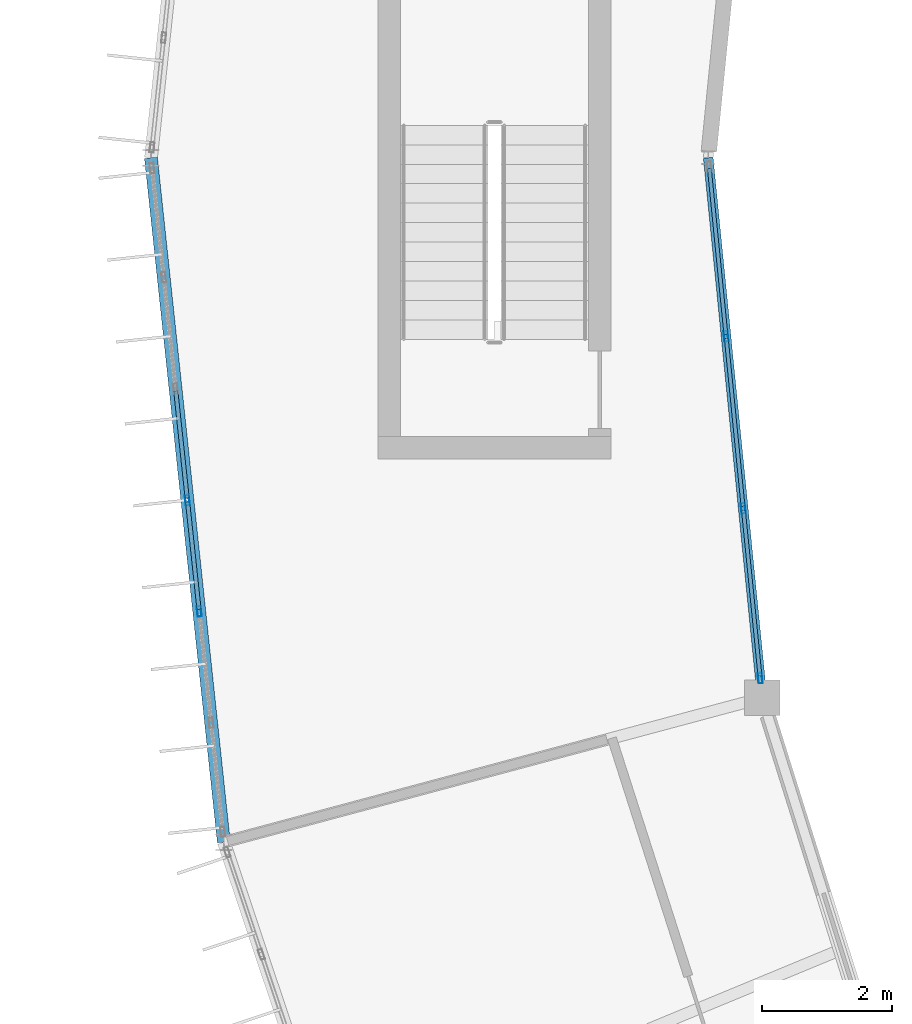
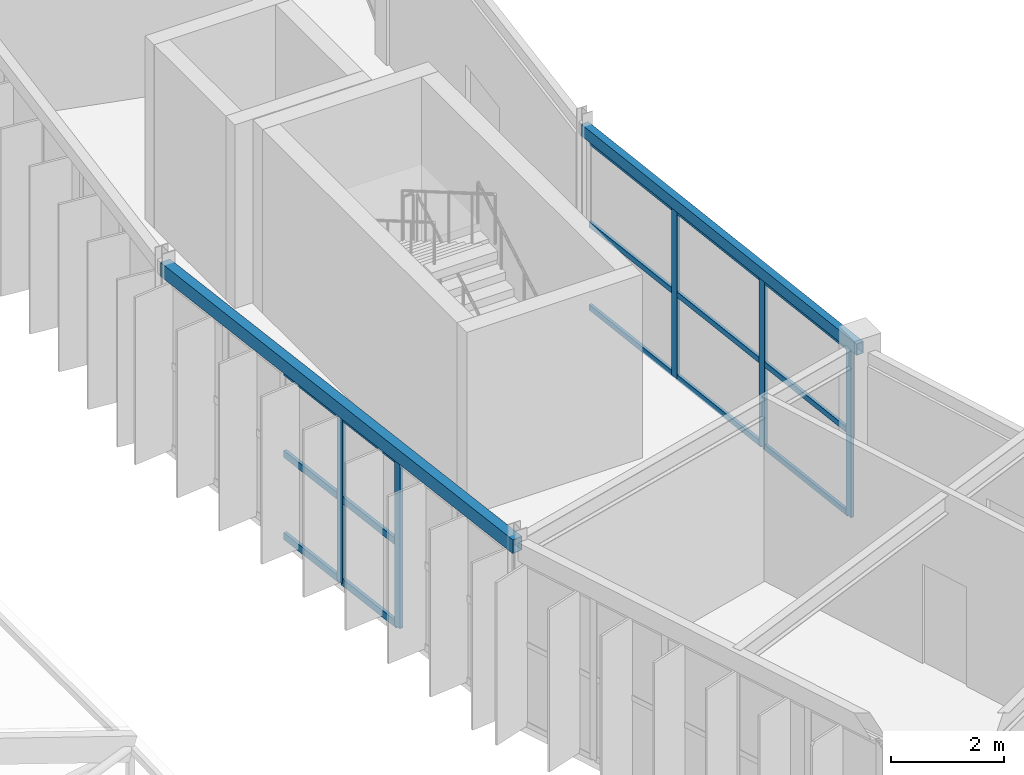
# One storey, part 41 of 134: 20 members, 2 beams, 2 elements without a shape of their own.
"""IFC4 building model written with IfcOpenShell, lengths in metres."""

import ifcopenshell
import ifcopenshell.guid

model = None  # the IFC model being written
_history = None  # IfcOwnerHistory: only IFC2X3 demands one
_inside = {}  # id of a spatial element -> (the spatial element, [elements in it])
_under = {}  # id of a project, library or spatial element -> (it, [spatial elements below it])
_declared = {}  # id of a project -> (the project, [libraries it declares])
_typed = {}  # id of a type object -> (the type object, [elements of that type])
_made_of = {}  # id of a material, layer set ... -> (it, [elements and type objects made of it])


def new_model(schema):
    """Start an empty IFC model of exactly this schema.

    Asked for "IFC4X3", IfcOpenShell would pick the latest addendum, in which some entities
    have other attributes; the version numbers below select the first issue.
    IFC2X3 requires an IfcOwnerHistory on every rooted entity: one is made here for all.
    """
    global model, _history
    if schema == "IFC4X3":
        model = ifcopenshell.file(schema_version=(4, 3, 0, 0))
    else:
        model = ifcopenshell.file(schema=schema)
    _inside.clear()
    _under.clear()
    _declared.clear()
    _typed.clear()
    _made_of.clear()
    _history = None
    if model.schema == "IFC2X3":
        org = make("IfcOrganization", Name="unknown")
        user = make(
            "IfcPersonAndOrganization",
            ThePerson=make("IfcPerson", FamilyName="unknown"),
            TheOrganization=org,
        )
        app = make(
            "IfcApplication",
            ApplicationDeveloper=org,
            Version="unknown",
            ApplicationFullName="unknown",
            ApplicationIdentifier="unknown",
        )
        _history = make(
            "IfcOwnerHistory",
            OwningUser=user,
            OwningApplication=app,
            ChangeAction="ADDED",
            CreationDate=0,
        )
    return model


def make(cls, **values):
    """One entity of the class cls with the attributes given. An attribute that is None is left unset."""
    return model.create_entity(
        cls, **{name: value for name, value in values.items() if value is not None}
    )


def rooted(cls, **values):
    """An entity with a GlobalId (a new one), such as an element, a storey or a relation."""
    return make(cls, GlobalId=ifcopenshell.guid.new(), OwnerHistory=_history, **values)


def si_unit(unit_type, name, prefix=None):
    """IfcSIUnit, for example si_unit("LENGTHUNIT", "METRE", prefix="MILLI")."""
    return make("IfcSIUnit", UnitType=unit_type, Prefix=prefix, Name=name)


def assignment(units):
    """IfcUnitAssignment: the units of a project."""
    return None if units is None else make("IfcUnitAssignment", Units=units)


def point(xyz):
    """IfcCartesianPoint."""
    return None if xyz is None else make("IfcCartesianPoint", Coordinates=xyz)


def direction(xyz):
    """IfcDirection."""
    return None if xyz is None else make("IfcDirection", DirectionRatios=xyz)


def frame(location, z_axis=None, x_axis=None):
    """IfcAxis2Placement3D, a coordinate frame: its origin and axes. An axis left out is left unset."""
    return make(
        "IfcAxis2Placement3D",
        Location=point(location),
        Axis=direction(z_axis),
        RefDirection=direction(x_axis),
    )


def frame_2d(location, x_axis=None):
    """IfcAxis2Placement2D, a coordinate frame in the plane: its origin and x axis."""
    return make(
        "IfcAxis2Placement2D", Location=point(location), RefDirection=direction(x_axis)
    )


def origin():
    """The frame at (0, 0, 0) with its axes left unset."""
    return frame((0.0, 0.0, 0.0))


def origin_2d():
    """The frame at (0, 0) in the plane with its x axis left unset."""
    return frame_2d((0.0, 0.0))


def place(relative_to, where):
    """IfcLocalPlacement: puts the frame where relative to a parent placement (None: the world)."""
    return make(
        "IfcLocalPlacement", PlacementRelTo=relative_to, RelativePlacement=where
    )


def context(
    kind, dimensions, precision=None, world=None, true_north=None, identifier=None
):
    """IfcGeometricRepresentationContext, for example the 3D "Model" context."""
    return make(
        "IfcGeometricRepresentationContext",
        ContextIdentifier=identifier,
        ContextType=kind,
        CoordinateSpaceDimension=dimensions,
        Precision=precision,
        WorldCoordinateSystem=world,
        TrueNorth=true_north,
    )


def subcontext(parent, identifier, kind, view, scale=None):
    """IfcGeometricRepresentationSubContext, for example "Body" below "Model"."""
    return make(
        "IfcGeometricRepresentationSubContext",
        ContextIdentifier=identifier,
        ContextType=kind,
        ParentContext=parent,
        TargetScale=scale,
        TargetView=view,
    )


def project(units=None, contexts=None):
    """IfcProject with its units and contexts."""
    return rooted(
        "IfcProject",
        Name="project",
        RepresentationContexts=contexts,
        UnitsInContext=assignment(units),
    )


def spatial(cls, under=None, at=None, **own):
    """A site, building, storey or space (cls), placed at a placement, below another one or the project."""
    s = rooted(cls, ObjectPlacement=at, **own)
    if under is not None:
        _under.setdefault(under.id(), (under, []))[1].append(s)
    return s


def profile(cls, at=None, kind="AREA", **sizes):
    """A parametric profile (cls). Its sizes go by their IFC names, for example OverallWidth=200.0."""
    return make(cls, ProfileType=kind, Position=at, **sizes)


def hollow_rectangle(**sizes):
    """IfcRectangleHollowProfileDef."""
    return profile("IfcRectangleHollowProfileDef", **sizes)


def extrude(swept, where, along, depth):
    """IfcExtrudedAreaSolid: the profile swept, set in the frame where, extruded along a direction by depth."""
    return make(
        "IfcExtrudedAreaSolid",
        SweptArea=swept,
        Position=where,
        ExtrudedDirection=direction(along),
        Depth=depth,
    )


def shape(context_of_items, identifier, shape_type, items):
    """IfcShapeRepresentation: the items that make up one representation, for example the "Body"."""
    return make(
        "IfcShapeRepresentation",
        ContextOfItems=context_of_items,
        RepresentationIdentifier=identifier,
        RepresentationType=shape_type,
        Items=items,
    )


def material(Name=None, Category=None):
    """IfcMaterial."""
    return make("IfcMaterial", Name=Name, Category=Category)


def material_profile(
    of_material, cross_section, Name=None, Category=None, Priority=None
):
    """IfcMaterialProfile: a cross section and its material."""
    return make(
        "IfcMaterialProfile",
        Name=Name,
        Material=of_material,
        Profile=cross_section,
        Priority=Priority,
        Category=Category,
    )


def profile_set(profiles, Name=None, composite=None):
    """IfcMaterialProfileSet."""
    return make(
        "IfcMaterialProfileSet",
        Name=Name,
        MaterialProfiles=profiles,
        CompositeProfile=composite,
    )


def made_of(thing, what):
    """Note that an element or type object is made of a material, layer set ...; save() writes the relation."""
    if what is not None:
        _made_of.setdefault(what.id(), (what, []))[1].append(thing)
    return thing


def type_object(cls, material=None, **own):
    """A type object (cls), such as IfcWallType, which elements share."""
    return made_of(rooted(cls, **own), material)


def element(
    cls,
    number,
    at=None,
    inside=None,
    cuts=None,
    type_object=None,
    material=None,
    context=None,
    identifier="Body",
    shape_type=None,
    held_by="IfcProductDefinitionShape",
    body=None,
    shapes=None,
    **own,
):
    """One element of the class cls, such as IfcWall. Its Tag is "e" and its number.

    at: its placement. inside: the storey or other place that contains it. cuts: it is an
    opening in that element (IfcRelVoidsElement). A single representation is given by context,
    identifier, shape_type and body (its items); several are given by shapes. held_by: the class
    of the entity that holds the representations. save() writes the other relations.
    """
    e = rooted(cls, Tag="e%d" % number, ObjectPlacement=at, **own)
    if body is not None:
        shapes = [shape(context, identifier, shape_type, body)]
    if shapes is not None:
        e.Representation = make(held_by, Representations=shapes)
    if inside is not None:
        _inside.setdefault(inside.id(), (inside, []))[1].append(e)
    if cuts is not None:
        rooted(
            "IfcRelVoidsElement", RelatingBuildingElement=cuts, RelatedOpeningElement=e
        )
    if type_object is not None:
        _typed.setdefault(type_object.id(), (type_object, []))[1].append(e)
    return made_of(e, material)


def aggregate(whole, parts):
    """IfcRelAggregates: a whole, such as a stair, and the parts it consists of."""
    return rooted("IfcRelAggregates", RelatingObject=whole, RelatedObjects=parts)


def save(model, path):
    """Write the relations noted so far, then the file.

    IfcRelAggregates (storeys below a building ...), IfcRelContainedInSpatialStructure (elements
    in a storey), IfcRelDefinesByType, IfcRelAssociatesMaterial and IfcRelDeclares: one each for
    every whole, place, type object, material and project.
    """
    for whole, parts in _under.values():
        aggregate(whole, parts)
    for where, things in _inside.values():
        rooted(
            "IfcRelContainedInSpatialStructure",
            RelatedElements=things,
            RelatingStructure=where,
        )
    for kind, things in _typed.values():
        rooted("IfcRelDefinesByType", RelatedObjects=things, RelatingType=kind)
    for what, things in _made_of.values():
        rooted("IfcRelAssociatesMaterial", RelatedObjects=things, RelatingMaterial=what)
    for by, libraries in _declared.values():
        rooted("IfcRelDeclares", RelatingContext=by, RelatedDefinitions=libraries)
    model.write(path)


model = new_model("IFC4")

# Units and contexts
model_context = context("Model", 3, precision=1e-05, world=origin(), true_north=direction((0.0, 1.0)))
body_context = subcontext(model_context, "Body", "Model", "MODEL_VIEW")
ifc_project = project(units=[si_unit("LENGTHUNIT", "METRE"), si_unit("AREAUNIT", "SQUARE_METRE"), si_unit("VOLUMEUNIT", "CUBIC_METRE"), si_unit("PLANEANGLEUNIT", "RADIAN"), si_unit("MASSUNIT", "GRAM", prefix="KILO")], contexts=[model_context])

# Site, building, storey
site_placement = place(None, origin())
site = spatial("IfcSite", under=ifc_project, at=site_placement, CompositionType="ELEMENT")
building_placement = place(site_placement, origin())
building = spatial("IfcBuilding", under=site, at=building_placement, Name="Karori Crest Natural Sciences Institute", CompositionType="ELEMENT")
storey_placement = place(building_placement, frame((0.0, 0.0, 21.699951171875)))
storey = spatial("IfcBuildingStorey", under=building, at=storey_placement, Name="L05", CompositionType="ELEMENT", Elevation=21.699951171875)

# Beams
ifc_material_1 = material(Name="Hollow structural steel AS/NZS 1163 Grade C350", Category="steel")
ifc_material_profile_1 = material_profile(ifc_material_1, hollow_rectangle(XDim=0.199951171875, YDim=0.300048828125, WallThickness=0.010009765625, at=origin_2d()), Name="RHS300x200x10")
ifc_profile_set_1 = profile_set([ifc_material_profile_1], Name="Hollow structural steel AS/NZS 1163 Grade C350")
beam_type_1 = type_object("IfcBeamType", Name="BT-15", PredefinedType="SPANDREL", material=ifc_profile_set_1)
beam_1_placement = place(storey_placement, frame((33.39990234375, 49.89990234375, 3.7900390625), z_axis=(0.105891010563, -0.994377742049, 0.0), x_axis=(0.994377742049, 0.105891010563, 0.0)))
element("IfcBeam", 1, at=beam_1_placement, inside=storey, type_object=beam_type_1, Name="Beam B-0586", PredefinedType="SPANDREL", context=body_context, shape_type="SweptSolid", body=[
    extrude(hollow_rectangle(XDim=0.199951171875, YDim=0.300048828125, WallThickness=0.010009765625, at=origin_2d()), origin(), (0.0, 0.0, 1.0), 10.61962890625),
])
ifc_material_profile_2 = material_profile(ifc_material_1, hollow_rectangle(XDim=0.14990234375, YDim=0.25, WallThickness=0.009033203125, at=origin_2d()), Name="RHS250x150x9")
ifc_profile_set_2 = profile_set([ifc_material_profile_2], Name="Hollow structural steel AS/NZS 1163 Grade C350")
beam_type_2 = type_object("IfcBeamType", Name="BT-16", PredefinedType="SPANDREL", material=ifc_profile_set_2)
beam_2_placement = place(storey_placement, frame((42.0, 49.89990234375, 3.7900390625), z_axis=(0.099255508608, -0.995061979985, 0.0), x_axis=(0.995061979985, 0.099255508608, 0.0)))
element("IfcBeam", 2, at=beam_2_placement, inside=storey, type_object=beam_type_2, Name="Beam B-0587", PredefinedType="SPANDREL", context=body_context, shape_type="SweptSolid", body=[
    extrude(hollow_rectangle(XDim=0.14990234375, YDim=0.25, WallThickness=0.009033203125, at=origin_2d()), origin(), (0.0, 0.0, 1.0), 8.375244140625),
])

# Curtain wall, members
ifc_material_2 = material(Name="Anodised architectural aluminium 6063-T6", Category="aluminium")
curtain_wall_type_1 = type_object("IfcCurtainWallType", Name="CWT-03", PredefinedType="NOTDEFINED", material=ifc_material_2)
curtain_wall_1_placement = place(storey_placement, origin())
curtain_wall_1 = element("IfcCurtainWall", 3, at=curtain_wall_1_placement, inside=storey, type_object=curtain_wall_type_1, Name="Curtain wall CW-0190", PredefinedType="NOTDEFINED")
ifc_material_profile_3 = material_profile(ifc_material_2, hollow_rectangle(XDim=0.06494140625, YDim=0.159912109375, WallThickness=0.00390625, at=origin_2d()), Name="CWM160x65x4")
ifc_profile_set_3 = profile_set([ifc_material_profile_3], Name="Anodised architectural aluminium 6063-T6")
member_type_1 = type_object("IfcMemberType", Name="CWM-01", PredefinedType="MULLION", material=ifc_profile_set_3)
member_1_placement = place(storey_placement, frame((34.145263671875, 42.90087890625, 0.0), z_axis=(0.0, 0.0, 1.0), x_axis=(-0.994378435661, -0.105884496939, 0.0)))
member_1 = element("IfcMember", 4, at=member_1_placement, type_object=member_type_1, Name="CW-0190 mullion 3", PredefinedType="MULLION", context=body_context, shape_type="SweptSolid", body=[
    extrude(hollow_rectangle(XDim=0.06494140625, YDim=0.159912109375, WallThickness=0.00390625, at=origin_2d()), origin(), (0.0, 0.0, 1.0), 3.625),
])
member_2_placement = place(storey_placement, frame((33.96240234375, 44.61865234375, 0.0), z_axis=(0.0, 0.0, 1.0), x_axis=(-0.994378435661, -0.105884496939, 0.0)))
member_2 = element("IfcMember", 5, at=member_2_placement, type_object=member_type_1, Name="CW-0190 mullion 4", PredefinedType="MULLION", context=body_context, shape_type="SweptSolid", body=[
    extrude(hollow_rectangle(XDim=0.06494140625, YDim=0.159912109375, WallThickness=0.00390625, at=origin_2d()), origin(), (0.0, 0.0, 1.0), 3.625),
])

curtain_wall_type_2 = type_object("IfcCurtainWallType", Name="CWT-13", PredefinedType="NOTDEFINED", material=ifc_material_2)
curtain_wall_2_placement = place(storey_placement, origin())
curtain_wall_2 = element("IfcCurtainWall", 6, at=curtain_wall_2_placement, inside=storey, type_object=curtain_wall_type_2, Name="Curtain wall CW-0191", PredefinedType="NOTDEFINED")
member_3_placement = place(storey_placement, frame((42.27490234375, 47.144287109375, 0.0), z_axis=(0.0, 0.0, 1.0), x_axis=(0.995060684604, 0.099268494275, 0.0)))
member_3 = element("IfcMember", 7, at=member_3_placement, type_object=member_type_1, Name="CW-0191 mullion 2", PredefinedType="MULLION", context=body_context, shape_type="SweptSolid", body=[
    extrude(hollow_rectangle(XDim=0.06494140625, YDim=0.159912109375, WallThickness=0.00390625, at=origin_2d()), origin(), (0.0, 0.0, 1.0), 3.650146484375),
])
member_4_placement = place(storey_placement, frame((42.53955078125, 44.49169921875, 0.0), z_axis=(0.0, 0.0, 1.0), x_axis=(0.995060684604, 0.099268494275, 0.0)))
member_4 = element("IfcMember", 8, at=member_4_placement, type_object=member_type_1, Name="CW-0191 mullion 3", PredefinedType="MULLION", context=body_context, shape_type="SweptSolid", body=[
    extrude(hollow_rectangle(XDim=0.06494140625, YDim=0.159912109375, WallThickness=0.00390625, at=origin_2d()), origin(), (0.0, 0.0, 1.0), 3.650146484375),
])
member_5_placement = place(storey_placement, frame((42.801025390625, 41.871337890625, 0.0), z_axis=(0.0, 0.0, 1.0), x_axis=(0.995060684604, 0.099268494275, 0.0)))
member_5 = element("IfcMember", 9, at=member_5_placement, type_object=member_type_1, Name="CW-0191 mullion 4", PredefinedType="MULLION", context=body_context, shape_type="SweptSolid", body=[
    extrude(hollow_rectangle(XDim=0.06494140625, YDim=0.159912109375, WallThickness=0.00390625, at=origin_2d()), origin(), (0.0, 0.0, 1.0), 3.650146484375),
])
ifc_material_profile_4 = material_profile(ifc_material_2, hollow_rectangle(XDim=0.06005859375, YDim=0.1201171875, WallThickness=0.00390625, at=origin_2d()), Name="CWT120x60x4")
ifc_profile_set_4 = profile_set([ifc_material_profile_4], Name="Anodised architectural aluminium 6063-T6")
member_type_2 = type_object("IfcMemberType", Name="CWT-TR1", PredefinedType="USERDEFINED", material=ifc_profile_set_4)
member_6_placement = place(storey_placement, frame((42.016845703125, 49.732421875, 0.030029296875), z_axis=(0.099240189366, -0.99506350793, 0.0), x_axis=(0.99506350793, 0.099240189366, 0.0)))
member_6 = element("IfcMember", 10, at=member_6_placement, type_object=member_type_2, Name="CW-0191 transom 1.1", ObjectType="TRANSOM", PredefinedType="USERDEFINED", context=body_context, shape_type="SweptSolid", body=[
    extrude(hollow_rectangle(XDim=0.06005859375, YDim=0.1201171875, WallThickness=0.00390625, at=origin_2d()), origin(), (0.0, 0.0, 1.0), 2.568359375),
])
member_7_placement = place(storey_placement, frame((42.016845703125, 49.732421875, 1.824951171875), z_axis=(0.099240189366, -0.99506350793, 0.0), x_axis=(0.99506350793, 0.099240189366, 0.0)))
member_7 = element("IfcMember", 11, at=member_7_placement, type_object=member_type_2, Name="CW-0191 transom 1.2", ObjectType="TRANSOM", PredefinedType="USERDEFINED", context=body_context, shape_type="SweptSolid", body=[
    extrude(hollow_rectangle(XDim=0.06005859375, YDim=0.1201171875, WallThickness=0.00390625, at=origin_2d()), origin(), (0.0, 0.0, 1.0), 2.568359375),
])
member_8_placement = place(storey_placement, frame((42.016845703125, 49.732421875, 3.6201171875), z_axis=(0.099240189366, -0.99506350793, 0.0), x_axis=(0.99506350793, 0.099240189366, 0.0)))
member_8 = element("IfcMember", 12, at=member_8_placement, type_object=member_type_2, Name="CW-0191 transom 1.3", ObjectType="TRANSOM", PredefinedType="USERDEFINED", context=body_context, shape_type="SweptSolid", body=[
    extrude(hollow_rectangle(XDim=0.06005859375, YDim=0.1201171875, WallThickness=0.00390625, at=origin_2d()), origin(), (0.0, 0.0, 1.0), 2.568359375),
])
member_9_placement = place(storey_placement, frame((42.278076171875, 47.112060546875, 0.030029296875), z_axis=(0.099308553467, -0.995056687435, 0.0), x_axis=(0.995056687435, 0.099308553467, 0.0)))
member_9 = element("IfcMember", 13, at=member_9_placement, type_object=member_type_2, Name="CW-0191 transom 2.1", ObjectType="TRANSOM", PredefinedType="USERDEFINED", context=body_context, shape_type="SweptSolid", body=[
    extrude(hollow_rectangle(XDim=0.06005859375, YDim=0.1201171875, WallThickness=0.00390625, at=origin_2d()), origin(), (0.0, 0.0, 1.0), 2.60107421875),
])
member_10_placement = place(storey_placement, frame((42.278076171875, 47.112060546875, 1.824951171875), z_axis=(0.099308553467, -0.995056687435, 0.0), x_axis=(0.995056687435, 0.099308553467, 0.0)))
member_10 = element("IfcMember", 14, at=member_10_placement, type_object=member_type_2, Name="CW-0191 transom 2.2", ObjectType="TRANSOM", PredefinedType="USERDEFINED", context=body_context, shape_type="SweptSolid", body=[
    extrude(hollow_rectangle(XDim=0.06005859375, YDim=0.1201171875, WallThickness=0.00390625, at=origin_2d()), origin(), (0.0, 0.0, 1.0), 2.60107421875),
])
member_11_placement = place(storey_placement, frame((42.278076171875, 47.112060546875, 3.6201171875), z_axis=(0.099308553467, -0.995056687435, 0.0), x_axis=(0.995056687435, 0.099308553467, 0.0)))
member_11 = element("IfcMember", 15, at=member_11_placement, type_object=member_type_2, Name="CW-0191 transom 2.3", ObjectType="TRANSOM", PredefinedType="USERDEFINED", context=body_context, shape_type="SweptSolid", body=[
    extrude(hollow_rectangle(XDim=0.06005859375, YDim=0.1201171875, WallThickness=0.00390625, at=origin_2d()), origin(), (0.0, 0.0, 1.0), 2.60107421875),
])
member_12_placement = place(storey_placement, frame((42.542724609375, 44.459228515625, 0.030029296875), z_axis=(0.0993343095, -0.995054116597, 0.0), x_axis=(0.995054116597, 0.0993343095, 0.0)))
member_12 = element("IfcMember", 16, at=member_12_placement, type_object=member_type_2, Name="CW-0191 transom 3.1", ObjectType="TRANSOM", PredefinedType="USERDEFINED", context=body_context, shape_type="SweptSolid", body=[
    extrude(hollow_rectangle(XDim=0.06005859375, YDim=0.1201171875, WallThickness=0.00390625, at=origin_2d()), origin(), (0.0, 0.0, 1.0), 2.568359375),
])
member_13_placement = place(storey_placement, frame((42.542724609375, 44.459228515625, 1.824951171875), z_axis=(0.0993343095, -0.995054116597, 0.0), x_axis=(0.995054116597, 0.0993343095, 0.0)))
member_13 = element("IfcMember", 17, at=member_13_placement, type_object=member_type_2, Name="CW-0191 transom 3.2", ObjectType="TRANSOM", PredefinedType="USERDEFINED", context=body_context, shape_type="SweptSolid", body=[
    extrude(hollow_rectangle(XDim=0.06005859375, YDim=0.1201171875, WallThickness=0.00390625, at=origin_2d()), origin(), (0.0, 0.0, 1.0), 2.568359375),
])
member_14_placement = place(storey_placement, frame((42.542724609375, 44.459228515625, 3.6201171875), z_axis=(0.0993343095, -0.995054116597, 0.0), x_axis=(0.995054116597, 0.0993343095, 0.0)))
member_14 = element("IfcMember", 18, at=member_14_placement, type_object=member_type_2, Name="CW-0191 transom 3.3", ObjectType="TRANSOM", PredefinedType="USERDEFINED", context=body_context, shape_type="SweptSolid", body=[
    extrude(hollow_rectangle(XDim=0.06005859375, YDim=0.1201171875, WallThickness=0.00390625, at=origin_2d()), origin(), (0.0, 0.0, 1.0), 2.568359375),
])
aggregate(curtain_wall_2, [member_3, member_4, member_5, member_6, member_7, member_8, member_9, member_10, member_11, member_12, member_13, member_14])

# Member
ifc_material_profile_5 = material_profile(ifc_material_2, hollow_rectangle(XDim=0.06494140625, YDim=0.14990234375, WallThickness=0.00390625, at=origin_2d()), Name="CWT150x65x4")
ifc_profile_set_5 = profile_set([ifc_material_profile_5], Name="Anodised architectural aluminium 6063-T6")
member_type_3 = type_object("IfcMemberType", Name="CWT-TR2", PredefinedType="USERDEFINED", material=ifc_profile_set_5)
member_15_placement = place(storey_placement, frame((34.141845703125, 42.93310546875, 0.032470703125), z_axis=(-0.105884923842, 0.994378390203, 0.0), x_axis=(-0.994378390203, -0.105884923842, 0.0)))
member_15 = element("IfcMember", 19, at=member_15_placement, type_object=member_type_3, Name="CW-0190 transom 3.1", ObjectType="TRANSOM", PredefinedType="USERDEFINED", context=body_context, shape_type="SweptSolid", body=[
    extrude(hollow_rectangle(XDim=0.06494140625, YDim=0.14990234375, WallThickness=0.00390625, at=origin_2d()), origin(), (0.0, 0.0, 1.0), 1.662353515625),
])

member_16_placement = place(storey_placement, frame((34.141845703125, 42.93310546875, 1.8125), z_axis=(-0.105884923842, 0.994378390203, 0.0), x_axis=(-0.994378390203, -0.105884923842, 0.0)))
member_16 = element("IfcMember", 20, at=member_16_placement, type_object=member_type_3, Name="CW-0190 transom 3.2", ObjectType="TRANSOM", PredefinedType="USERDEFINED", context=body_context, shape_type="SweptSolid", body=[
    extrude(hollow_rectangle(XDim=0.06494140625, YDim=0.14990234375, WallThickness=0.00390625, at=origin_2d()), origin(), (0.0, 0.0, 1.0), 1.662353515625),
])

member_17_placement = place(storey_placement, frame((34.141845703125, 42.93310546875, 3.592529296875), z_axis=(-0.105884923842, 0.994378390203, 0.0), x_axis=(-0.994378390203, -0.105884923842, 0.0)))
member_17 = element("IfcMember", 21, at=member_17_placement, type_object=member_type_3, Name="CW-0190 transom 3.3", ObjectType="TRANSOM", PredefinedType="USERDEFINED", context=body_context, shape_type="SweptSolid", body=[
    extrude(hollow_rectangle(XDim=0.06494140625, YDim=0.14990234375, WallThickness=0.00390625, at=origin_2d()), origin(), (0.0, 0.0, 1.0), 1.662353515625),
])

member_18_placement = place(storey_placement, frame((33.958984375, 44.65087890625, 0.032470703125), z_axis=(-0.105869463411, 0.994380036363, 0.0), x_axis=(-0.994380036363, -0.105869463411, 0.0)))
member_18 = element("IfcMember", 22, at=member_18_placement, type_object=member_type_3, Name="CW-0190 transom 4.1", ObjectType="TRANSOM", PredefinedType="USERDEFINED", context=body_context, shape_type="SweptSolid", body=[
    extrude(hollow_rectangle(XDim=0.06494140625, YDim=0.14990234375, WallThickness=0.00390625, at=origin_2d()), origin(), (0.0, 0.0, 1.0), 1.66259765625),
])

member_19_placement = place(storey_placement, frame((33.958984375, 44.65087890625, 1.8125), z_axis=(-0.105869463411, 0.994380036363, 0.0), x_axis=(-0.994380036363, -0.105869463411, 0.0)))
member_19 = element("IfcMember", 23, at=member_19_placement, type_object=member_type_3, Name="CW-0190 transom 4.2", ObjectType="TRANSOM", PredefinedType="USERDEFINED", context=body_context, shape_type="SweptSolid", body=[
    extrude(hollow_rectangle(XDim=0.06494140625, YDim=0.14990234375, WallThickness=0.00390625, at=origin_2d()), origin(), (0.0, 0.0, 1.0), 1.66259765625),
])

member_20_placement = place(storey_placement, frame((33.958984375, 44.65087890625, 3.592529296875), z_axis=(-0.105869463411, 0.994380036363, 0.0), x_axis=(-0.994380036363, -0.105869463411, 0.0)))
member_20 = element("IfcMember", 24, at=member_20_placement, type_object=member_type_3, Name="CW-0190 transom 4.3", ObjectType="TRANSOM", PredefinedType="USERDEFINED", context=body_context, shape_type="SweptSolid", body=[
    extrude(hollow_rectangle(XDim=0.06494140625, YDim=0.14990234375, WallThickness=0.00390625, at=origin_2d()), origin(), (0.0, 0.0, 1.0), 1.66259765625),
])

aggregate(curtain_wall_1, [member_1, member_2, member_15, member_16, member_17, member_18, member_19, member_20])

save(model, "model.ifc")
